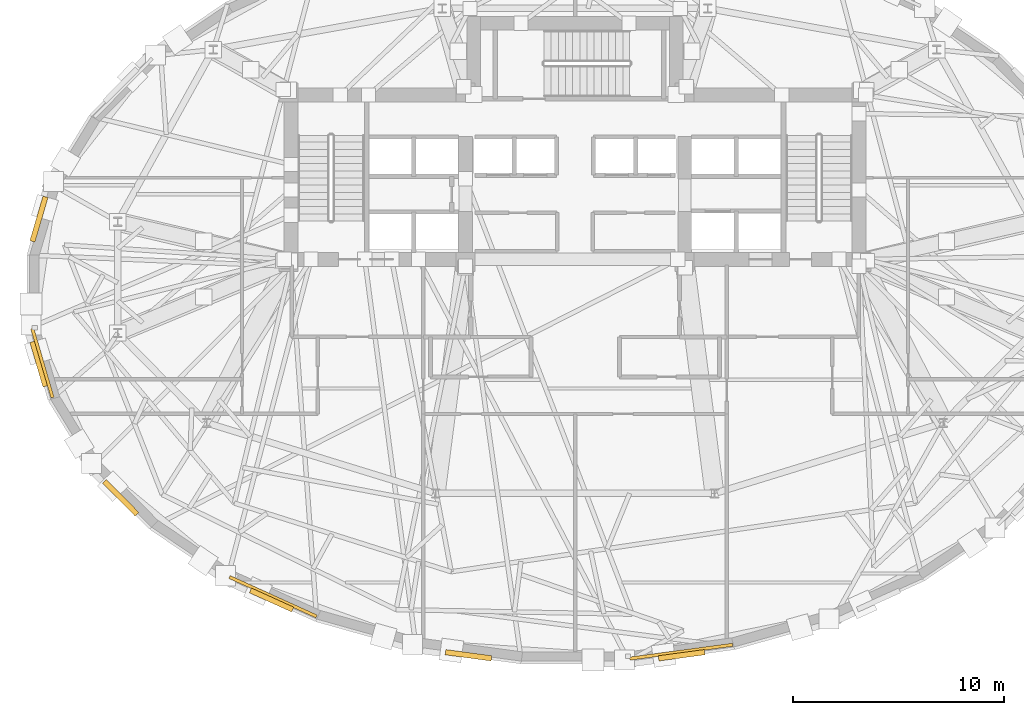
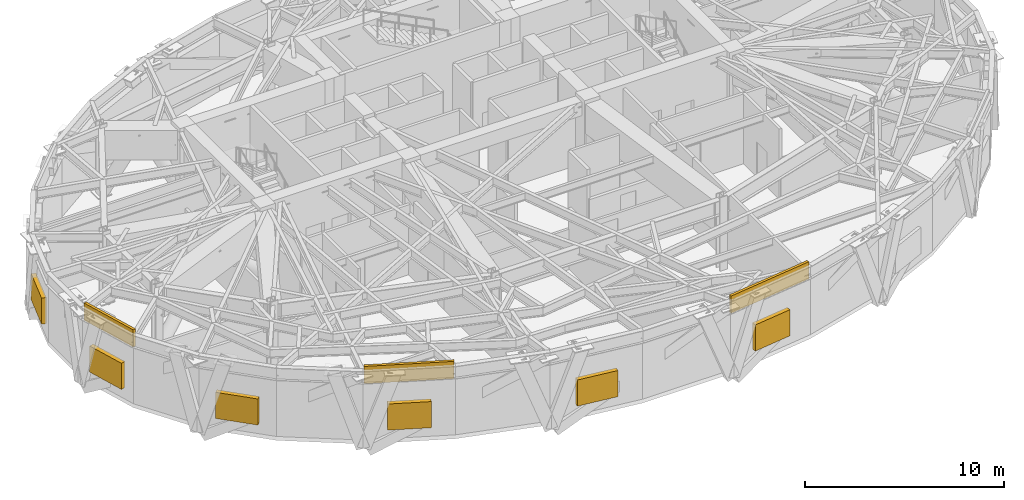
# One storey, part 10 of 13: 6 shading devices, 3 coverings.
"""IFC4 building model written with IfcOpenShell, lengths in metres."""

from ifc_helpers import new_model, si_unit, direction, frame, origin, origin_2d, place, context, subcontext, project, spatial, rectangle, extrude, material, layer, layer_set, type_object, element, save


model = new_model("IFC4")

# Units and contexts
model_context = context("Model", 3, precision=1e-05, world=origin(), true_north=direction((0.0, 1.0)))
body_context = subcontext(model_context, "Body", "Model", "MODEL_VIEW")
ifc_project = project(units=[si_unit("LENGTHUNIT", "METRE"), si_unit("AREAUNIT", "SQUARE_METRE"), si_unit("VOLUMEUNIT", "CUBIC_METRE"), si_unit("PLANEANGLEUNIT", "RADIAN"), si_unit("MASSUNIT", "GRAM", prefix="KILO")], contexts=[model_context])

# Site, building, storey
site_placement = place(None, origin())
site = spatial("IfcSite", under=ifc_project, at=site_placement, CompositionType="ELEMENT")
building_placement = place(site_placement, origin())
building = spatial("IfcBuilding", under=site, at=building_placement, Name="Keldmark Tower", CompositionType="ELEMENT")
storey_placement = place(building_placement, frame((0.0, 0.0, 135.10009765625)))
storey = spatial("IfcBuildingStorey", under=building, at=storey_placement, Name="L36", CompositionType="ELEMENT", Elevation=135.10009765625)

# Coverings
ifc_material_1 = material(Name="Honed Kasota Buff Dolomitic Limestone", Category="masonry")
ifc_layer = layer(ifc_material_1, 0.074951171875)
ifc_layer_set = layer_set([ifc_layer], Name="Honed Kasota Buff Dolomitic Limestone")
covering_type = type_object("IfcCoveringType", Name="Kasota Buff Limestone Spandrel Cladding Band", PredefinedType="CLADDING", material=ifc_layer_set)
covering_1_placement = place(storey_placement, frame((-25.27197265625, -3.389892578125, 3.421875), z_axis=(0.0, 0.0, 1.0), x_axis=(0.281654913929, -0.959515768218, 0.0)))
element("IfcCovering", 1, at=covering_1_placement, inside=storey, type_object=covering_type, Name="L36 Kasota Limestone Spandrel Band 17", PredefinedType="CLADDING", context=body_context, shape_type="SweptSolid", body=[
    extrude(rectangle(XDim=3.41064453125, YDim=0.14990234375, at=origin_2d()), origin(), (0.0, 0.0, 1.0), 1.05810546875),
])
covering_2_placement = place(storey_placement, frame((-14.329833984375, -14.479736328125, 3.421875), z_axis=(0.0, 0.0, 1.0), x_axis=(0.910950242101, -0.412516249881, 0.0)))
element("IfcCovering", 2, at=covering_2_placement, inside=storey, type_object=covering_type, Name="L36 Kasota Limestone Spandrel Band 21", PredefinedType="CLADDING", context=body_context, shape_type="SweptSolid", body=[
    extrude(rectangle(XDim=4.5322265625, YDim=0.14990234375, at=origin_2d()), origin(), (0.0, 0.0, 1.0), 1.05810546875),
])
covering_3_placement = place(storey_placement, frame((5.033203125, -17.089111328125, 3.421875), z_axis=(0.0, 0.0, 1.0), x_axis=(0.991034573663, 0.133605665318, 0.0)))
element("IfcCovering", 3, at=covering_3_placement, inside=storey, type_object=covering_type, Name="L36 Kasota Limestone Spandrel Band 25", PredefinedType="CLADDING", context=body_context, shape_type="SweptSolid", body=[
    extrude(rectangle(XDim=4.92431640625, YDim=0.14990234375, at=origin_2d()), origin(), (0.0, 0.0, 1.0), 1.05810546875),
])

# Shading devices
ifc_material_2 = material(Name="Fluoropolymer-Coated Extruded Aluminum Stormproof Blades", Category="aluminium")
shading_device_type = type_object("IfcShadingDeviceType", Name="Mechanical Floor Acoustic Intake Louvre", PredefinedType="JALOUSIE", material=ifc_material_2)
for number, where, z_axis, x_axis, name in (
    (4, (-25.435302734375, 3.437744140625, 0.64990234375), (0.0, 0.0, 1.0), (-0.281654913929, -0.959515768218, 0.0), "L36 Acoustic Stormproof Louvre 15"),
    (5, (-25.435302734375, -3.437744140625, 0.64990234375), (0.0, 0.0, 1.0), (0.281654913929, -0.959515768218, 0.0), "L36 Acoustic Stormproof Louvre 17"),
    (6, (-21.556884765625, -9.7841796875, 0.64990234375), (0.0, 0.0, 1.0), (0.702090914327, -0.712087317693, 0.0), "L36 Acoustic Stormproof Louvre 19"),
    (7, (-14.39990234375, -14.634521484375, 0.64990234375), (0.0, 0.0, 1.0), (0.910950242101, -0.412516249881, 0.0), "L36 Acoustic Stormproof Louvre 21"),
    (8, (-5.055908203125, -17.2578125, 0.64990234375), (0.0, 0.0, 1.0), (0.991034573663, -0.133605665318, 0.0), "L36 Acoustic Stormproof Louvre 23"),
    (9, (5.055908203125, -17.2578125, 0.64990234375), (0.0, 0.0, 1.0), (0.991034573663, 0.133605665318, 0.0), "L36 Acoustic Stormproof Louvre 25"),
):
    element("IfcShadingDevice", number, at=place(storey_placement, frame(where, z_axis=z_axis, x_axis=x_axis)), inside=storey, type_object=shading_device_type, Name=name, PredefinedType="JALOUSIE", context=body_context, shape_type="SweptSolid", body=[
        extrude(rectangle(XDim=2.199951171875, YDim=0.25, at=origin_2d()), origin(), (0.0, 0.0, 1.0), 1.60009765625),
    ])

save(model, "model.ifc")
